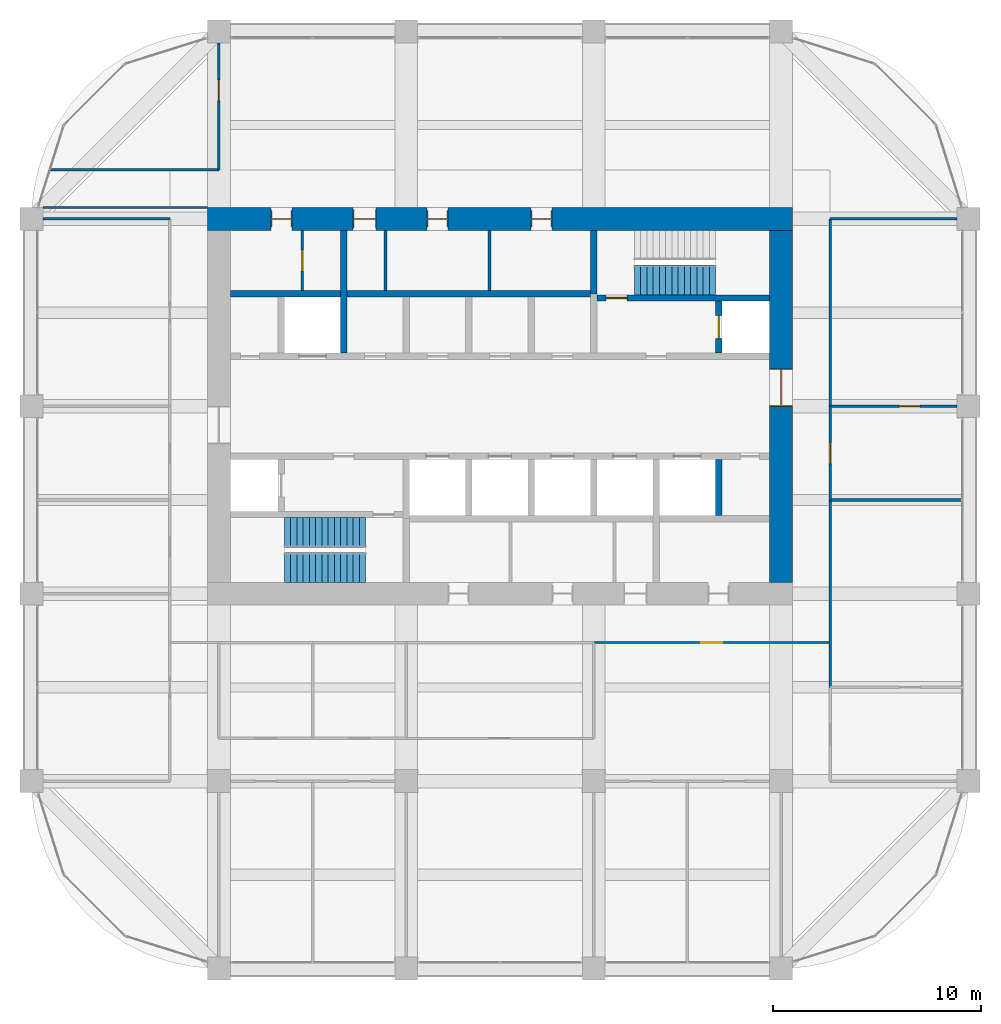
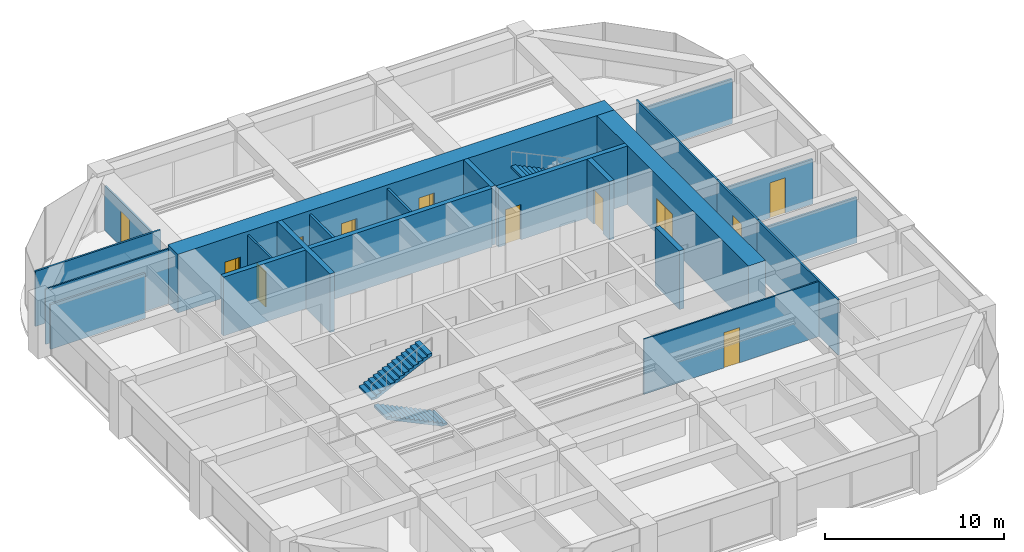
# One storey, part 43 of 45: 22 walls, 12 doors, 3 stair flights, 12 openings, 2 elements without a shape of their own.
"""IFC4 building model written with IfcOpenShell, lengths in metres."""

from ifc_helpers import new_model, si_unit, direction, frame, frame_2d, origin, place, context, subcontext, project, spatial, polyline, rectangle, outline, extrude, material, layer, layer_set, type_object, element, fill, aggregate, save


model = new_model("IFC4")

# Units and contexts
model_context = context("Model", 3, precision=1e-05, world=origin(), true_north=direction((0.0, 1.0)))
body_context = subcontext(model_context, "Body", "Model", "MODEL_VIEW")
ifc_project = project(units=[si_unit("LENGTHUNIT", "METRE"), si_unit("AREAUNIT", "SQUARE_METRE"), si_unit("VOLUMEUNIT", "CUBIC_METRE"), si_unit("PLANEANGLEUNIT", "RADIAN"), si_unit("MASSUNIT", "GRAM", prefix="KILO")], contexts=[model_context])

# Site, building, storey
site_placement = place(None, origin())
site = spatial("IfcSite", under=ifc_project, at=site_placement, CompositionType="ELEMENT")
building_placement = place(site_placement, origin())
building = spatial("IfcBuilding", under=site, at=building_placement, Name="Zorevar Civic Tower", CompositionType="ELEMENT")
storey_placement = place(building_placement, frame((0.0, 0.0, 303.39990234375)))
storey = spatial("IfcBuildingStorey", under=building, at=storey_placement, Name="L74", CompositionType="ELEMENT", Elevation=303.39990234375)

# Wall, openings, doors
ifc_material_1 = material(Name="Concrete C50/60", Category="concrete")
ifc_layer_1 = layer(ifc_material_1, 1.10009765625)
ifc_layer_set_1 = layer_set([ifc_layer_1], Name="Core wall 1100")
wall_type_1 = type_object("IfcWallType", Name="Core wall 1100", PredefinedType="SHEAR", material=ifc_layer_set_1)
wall_1_placement = place(storey_placement, frame((45.550048828125, 36.0, 0.0), z_axis=(0.0, 0.0, 1.0), x_axis=(-1.0, 0.0, 0.0)))
wall_1 = element("IfcWall", 1, at=wall_1_placement, inside=storey, type_object=wall_type_1, Name="Core wall N L74", PredefinedType="SHEAR", context=body_context, shape_type="SweptSolid", body=[
    extrude(rectangle(XDim=28.10009765625, YDim=1.10009765625, at=frame_2d((14.050048828125, 0.0))), origin(), (0.0, 0.0, 1.0), 4.0),
])
opening_1_placement = place(wall_1_placement, frame((11.550048828125, 0.0, 0.0)))
opening_1 = element("IfcOpeningElement", 2, at=opening_1_placement, cuts=wall_1, Name="Opening L74.07", PredefinedType="OPENING", context=body_context, shape_type="SweptSolid", body=[
    extrude(rectangle(XDim=1.0, YDim=2.39990234375, at=frame_2d((0.5, 1.199951171875))), frame((0.0, 0.56005859375, 0.0), z_axis=(0.0, -1.0, 0.0), x_axis=(1.0, 0.0, 0.0)), (0.0, 0.0, 1.0), 1.1201171875),
])
opening_2_placement = place(wall_1_placement, frame((16.550048828125, 0.0, 0.0)))
opening_2 = element("IfcOpeningElement", 3, at=opening_2_placement, cuts=wall_1, Name="Opening L74.08", PredefinedType="OPENING", context=body_context, shape_type="SweptSolid", body=[
    extrude(rectangle(XDim=1.0, YDim=2.39990234375, at=frame_2d((0.5, 1.199951171875))), frame((0.0, 0.56005859375, 0.0), z_axis=(0.0, -1.0, 0.0), x_axis=(1.0, 0.0, 0.0)), (0.0, 0.0, 1.0), 1.1201171875),
])
opening_3_placement = place(wall_1_placement, frame((20.0, 0.0, 0.0)))
opening_3 = element("IfcOpeningElement", 4, at=opening_3_placement, cuts=wall_1, Name="Opening L74.09", PredefinedType="OPENING", context=body_context, shape_type="SweptSolid", body=[
    extrude(rectangle(XDim=1.10009765625, YDim=2.39990234375, at=frame_2d((0.550048828125, 1.199951171875))), frame((0.0, 0.56005859375, 0.0), z_axis=(0.0, -1.0, 0.0), x_axis=(1.0, 0.0, 0.0)), (0.0, 0.0, 1.0), 1.1201171875),
])
opening_4_placement = place(wall_1_placement, frame((24.050048828125, 0.0, 0.0)))
opening_4 = element("IfcOpeningElement", 5, at=opening_4_placement, cuts=wall_1, Name="Opening L74.10", PredefinedType="OPENING", context=body_context, shape_type="SweptSolid", body=[
    extrude(rectangle(XDim=1.0, YDim=2.39990234375, at=frame_2d((0.5, 1.199951171875))), frame((0.0, 0.56005859375, 0.0), z_axis=(0.0, -1.0, 0.0), x_axis=(1.0, 0.0, 0.0)), (0.0, 0.0, 1.0), 1.1201171875),
])
ifc_material_2 = material(Name="Timber door set", Category="wood")
door_type_1 = type_object("IfcDoorType", Name="Door D1 1000x2400", OperationType="SINGLE_SWING_LEFT", PredefinedType="DOOR", material=ifc_material_2)
door_1_placement = place(opening_1_placement, origin())
door_1 = element("IfcDoor", 6, at=door_1_placement, inside=storey, type_object=door_type_1, Name="Door L74 06", OperationType="SINGLE_SWING_LEFT", OverallHeight=2.39990234375, OverallWidth=1.0, PredefinedType="DOOR", context=body_context, shape_type="SweptSolid", body=[
    extrude(rectangle(XDim=1.0, YDim=2.39990234375, at=frame_2d((0.5, 1.199951171875))), frame((0.0, 0.02490234375, 0.0), z_axis=(0.0, -1.0, 0.0), x_axis=(1.0, 0.0, 0.0)), (0.0, 0.0, 1.0), 0.050048828125),
    extrude(rectangle(XDim=0.04, YDim=2.39990234375, at=frame_2d((0.02001953125, 1.199951171875))), frame((0.0, 0.39990234375, 0.0), z_axis=(0.0, -1.0, 0.0), x_axis=(1.0, 0.0, 0.0)), (0.0, 0.0, 1.0), 0.800048828125),
    extrude(rectangle(XDim=0.04, YDim=2.39990234375, at=frame_2d((0.97998046875, 1.199951171875))), frame((0.0, 0.39990234375, 0.0), z_axis=(0.0, -1.0, 0.0), x_axis=(1.0, 0.0, 0.0)), (0.0, 0.0, 1.0), 0.800048828125),
    extrude(rectangle(XDim=1.0, YDim=0.04, at=frame_2d((0.5, 2.3798828125))), frame((0.0, 0.39990234375, 0.0), z_axis=(0.0, -1.0, 0.0), x_axis=(1.0, 0.0, 0.0)), (0.0, 0.0, 1.0), 0.800048828125),
])
fill(opening_1, door_1)
door_2_placement = place(opening_2_placement, origin())
door_2 = element("IfcDoor", 7, at=door_2_placement, inside=storey, type_object=door_type_1, Name="Door L74 07", OperationType="SINGLE_SWING_RIGHT", OverallHeight=2.39990234375, OverallWidth=1.0, PredefinedType="DOOR", context=body_context, shape_type="SweptSolid", body=[
    extrude(rectangle(XDim=1.0, YDim=2.39990234375, at=frame_2d((0.5, 1.199951171875))), frame((0.0, 0.02490234375, 0.0), z_axis=(0.0, -1.0, 0.0), x_axis=(1.0, 0.0, 0.0)), (0.0, 0.0, 1.0), 0.050048828125),
    extrude(rectangle(XDim=0.04, YDim=2.39990234375, at=frame_2d((0.02001953125, 1.199951171875))), frame((0.0, 0.39990234375, 0.0), z_axis=(0.0, -1.0, 0.0), x_axis=(1.0, 0.0, 0.0)), (0.0, 0.0, 1.0), 0.800048828125),
    extrude(rectangle(XDim=0.04, YDim=2.39990234375, at=frame_2d((0.97998046875, 1.199951171875))), frame((0.0, 0.39990234375, 0.0), z_axis=(0.0, -1.0, 0.0), x_axis=(1.0, 0.0, 0.0)), (0.0, 0.0, 1.0), 0.800048828125),
    extrude(rectangle(XDim=1.0, YDim=0.04, at=frame_2d((0.5, 2.3798828125))), frame((0.0, 0.39990234375, 0.0), z_axis=(0.0, -1.0, 0.0), x_axis=(1.0, 0.0, 0.0)), (0.0, 0.0, 1.0), 0.800048828125),
])
fill(opening_2, door_2)
door_3_placement = place(opening_4_placement, origin())
door_3 = element("IfcDoor", 8, at=door_3_placement, inside=storey, type_object=door_type_1, Name="Door L74 09", OperationType="SINGLE_SWING_RIGHT", OverallHeight=2.39990234375, OverallWidth=1.0, PredefinedType="DOOR", context=body_context, shape_type="SweptSolid", body=[
    extrude(rectangle(XDim=1.0, YDim=2.39990234375, at=frame_2d((0.5, 1.199951171875))), frame((0.0, 0.02490234375, 0.0), z_axis=(0.0, -1.0, 0.0), x_axis=(1.0, 0.0, 0.0)), (0.0, 0.0, 1.0), 0.050048828125),
    extrude(rectangle(XDim=0.04, YDim=2.39990234375, at=frame_2d((0.02001953125, 1.199951171875))), frame((0.0, 0.39990234375, 0.0), z_axis=(0.0, -1.0, 0.0), x_axis=(1.0, 0.0, 0.0)), (0.0, 0.0, 1.0), 0.800048828125),
    extrude(rectangle(XDim=0.04, YDim=2.39990234375, at=frame_2d((0.97998046875, 1.199951171875))), frame((0.0, 0.39990234375, 0.0), z_axis=(0.0, -1.0, 0.0), x_axis=(1.0, 0.0, 0.0)), (0.0, 0.0, 1.0), 0.800048828125),
    extrude(rectangle(XDim=1.0, YDim=0.04, at=frame_2d((0.5, 2.3798828125))), frame((0.0, 0.39990234375, 0.0), z_axis=(0.0, -1.0, 0.0), x_axis=(1.0, 0.0, 0.0)), (0.0, 0.0, 1.0), 0.800048828125),
])
fill(opening_4, door_3)
ifc_material_3 = material(Name="Timber door set", Category="wood")
door_type_2 = type_object("IfcDoorType", Name="Door D5 1100x2400", OperationType="SINGLE_SWING_LEFT", PredefinedType="DOOR", material=ifc_material_3)
door_4_placement = place(opening_3_placement, origin())
door_4 = element("IfcDoor", 9, at=door_4_placement, inside=storey, type_object=door_type_2, Name="Door L74 08", OperationType="SINGLE_SWING_RIGHT", OverallHeight=2.39990234375, OverallWidth=1.10009765625, PredefinedType="DOOR", context=body_context, shape_type="SweptSolid", body=[
    extrude(rectangle(XDim=1.10009765625, YDim=2.39990234375, at=frame_2d((0.550048828125, 1.199951171875))), frame((0.0, 0.02490234375, 0.0), z_axis=(0.0, -1.0, 0.0), x_axis=(1.0, 0.0, 0.0)), (0.0, 0.0, 1.0), 0.050048828125),
    extrude(rectangle(XDim=0.04, YDim=2.39990234375, at=frame_2d((0.02001953125, 1.199951171875))), frame((0.0, 0.43994140625, 0.0), z_axis=(0.0, -1.0, 0.0), x_axis=(1.0, 0.0, 0.0)), (0.0, 0.0, 1.0), 0.880126953125),
    extrude(rectangle(XDim=0.04, YDim=2.39990234375, at=frame_2d((1.080078125, 1.199951171875))), frame((0.0, 0.43994140625, 0.0), z_axis=(0.0, -1.0, 0.0), x_axis=(1.0, 0.0, 0.0)), (0.0, 0.0, 1.0), 0.880126953125),
    extrude(rectangle(XDim=1.10009765625, YDim=0.04, at=frame_2d((0.550048828125, 2.3798828125))), frame((0.0, 0.43994140625, 0.0), z_axis=(0.0, -1.0, 0.0), x_axis=(1.0, 0.0, 0.0)), (0.0, 0.0, 1.0), 0.880126953125),
])
fill(opening_3, door_4)

# Wall, opening, door
wall_2_placement = place(storey_placement, frame((45.0, 18.550048828125, 0.0), z_axis=(0.0, 0.0, 1.0), x_axis=(0.0, 1.0, 0.0)))
wall_2 = element("IfcWall", 10, at=wall_2_placement, inside=storey, type_object=wall_type_1, Name="Core wall E L74", PredefinedType="SHEAR", context=body_context, shape_type="SweptSolid", body=[
    extrude(rectangle(XDim=16.89990234375, YDim=1.10009765625, at=frame_2d((8.449951171875, 0.0))), origin(), (0.0, 0.0, 1.0), 4.0),
])
opening_5_placement = place(wall_2_placement, frame((8.449951171875, 0.0, 0.0)))
opening_5 = element("IfcOpeningElement", 11, at=opening_5_placement, cuts=wall_2, Name="Opening L74.02", PredefinedType="OPENING", context=body_context, shape_type="SweptSolid", body=[
    extrude(rectangle(XDim=1.800048828125, YDim=2.39990234375, at=frame_2d((0.89990234375, 1.199951171875))), frame((0.0, 0.56005859375, 0.0), z_axis=(0.0, -1.0, 0.0), x_axis=(1.0, 0.0, 0.0)), (0.0, 0.0, 1.0), 1.1201171875),
])
ifc_material_4 = material(Name="Steel door set", Category="steel")
door_type_3 = type_object("IfcDoorType", Name="Fire door FD2 1800x2400", OperationType="DOUBLE_DOOR_DOUBLE_SWING", PredefinedType="DOOR", material=ifc_material_4)
door_5_placement = place(opening_5_placement, origin())
door_5 = element("IfcDoor", 12, at=door_5_placement, inside=storey, type_object=door_type_3, Name="Door L74 01", OperationType="DOUBLE_DOOR_DOUBLE_SWING", OverallHeight=2.39990234375, OverallWidth=1.800048828125, PredefinedType="DOOR", context=body_context, shape_type="SweptSolid", body=[
    extrude(rectangle(XDim=1.800048828125, YDim=2.39990234375, at=frame_2d((0.89990234375, 1.199951171875))), frame((0.0, 0.030029296875, 0.0), z_axis=(0.0, -1.0, 0.0), x_axis=(1.0, 0.0, 0.0)), (0.0, 0.0, 1.0), 0.06005859375),
    extrude(rectangle(XDim=0.04, YDim=2.39990234375, at=frame_2d((0.02001953125, 1.199951171875))), frame((0.0, 0.5498046875, 0.0), z_axis=(0.0, -1.0, 0.0), x_axis=(1.0, 0.0, 0.0)), (0.0, 0.0, 1.0), 1.099609375),
    extrude(rectangle(XDim=0.04, YDim=2.39990234375, at=frame_2d((1.780029296875, 1.199951171875))), frame((0.0, 0.5498046875, 0.0), z_axis=(0.0, -1.0, 0.0), x_axis=(1.0, 0.0, 0.0)), (0.0, 0.0, 1.0), 1.099609375),
    extrude(rectangle(XDim=1.800048828125, YDim=0.04, at=frame_2d((0.89990234375, 2.3798828125))), frame((0.0, 0.5498046875, 0.0), z_axis=(0.0, -1.0, 0.0), x_axis=(1.0, 0.0, 0.0)), (0.0, 0.0, 1.0), 1.099609375),
])
fill(opening_5, door_5)

ifc_material_5 = material(Name="Laminated glass in black aluminium frame", Category="aluminium")
ifc_layer_2 = layer(ifc_material_5, 0.10009765625)
ifc_layer_set_2 = layer_set([ifc_layer_2], Name="Glazed partition 100")
wall_type_2 = type_object("IfcWallType", Name="Glazed partition 100", PredefinedType="PARTITIONING", material=ifc_layer_set_2)
wall_3_placement = place(storey_placement, frame((36.010009765625, 15.64990234375, 0.0), z_axis=(0.0, 0.0, 1.0), x_axis=(1.0, 0.0, 0.0)))
wall_3 = element("IfcWall", 13, at=wall_3_placement, inside=storey, type_object=wall_type_2, Name="Glazed partition 100 L74", PredefinedType="PARTITIONING", context=body_context, shape_type="SweptSolid", body=[
    extrude(rectangle(XDim=11.330078125, YDim=0.10009765625, at=frame_2d((5.6650390625, 0.0))), origin(), (0.0, 0.0, 1.0), 3.75),
])
opening_6_placement = place(wall_3_placement, frame((5.1650390625, 0.0, 0.0)))
opening_6 = element("IfcOpeningElement", 14, at=opening_6_placement, cuts=wall_3, Name="Opening L74.25", PredefinedType="OPENING", context=body_context, shape_type="SweptSolid", body=[
    extrude(rectangle(XDim=1.0, YDim=2.39990234375, at=frame_2d((0.5, 1.199951171875))), frame((0.0, 0.06005859375, 0.0), z_axis=(0.0, -1.0, 0.0), x_axis=(1.0, 0.0, 0.0)), (0.0, 0.0, 1.0), 0.1201171875),
])
ifc_material_6 = material(Name="Timber door set", Category="wood")
door_type_4 = type_object("IfcDoorType", Name="Glazed door GD1 1000x2400", OperationType="SINGLE_SWING_LEFT", PredefinedType="DOOR", material=ifc_material_6)
door_6_placement = place(opening_6_placement, origin())
door_6 = element("IfcDoor", 15, at=door_6_placement, inside=storey, type_object=door_type_4, Name="Door L74 D1", OperationType="SINGLE_SWING_RIGHT", OverallHeight=2.39990234375, OverallWidth=1.0, PredefinedType="DOOR", context=body_context, shape_type="SweptSolid", body=[
    extrude(rectangle(XDim=1.0, YDim=2.39990234375, at=frame_2d((0.5, 1.199951171875))), frame((0.0, 0.02001953125, 0.0), z_axis=(0.0, -1.0, 0.0), x_axis=(1.0, 0.0, 0.0)), (0.0, 0.0, 1.0), 0.0400390625),
])
fill(opening_6, door_6)

# Wall
wall_4_placement = place(storey_placement, frame((9.550048828125, 36.550048828125, 0.0), z_axis=(0.0, 0.0, 1.0), x_axis=(1.0, 0.0, 0.0)))
element("IfcWall", 16, at=wall_4_placement, inside=storey, type_object=wall_type_2, Name="Glazed partition 100 L74", PredefinedType="PARTITIONING", context=body_context, shape_type="SweptSolid", body=[
    extrude(rectangle(XDim=7.89990234375, YDim=0.10009765625, at=frame_2d((3.949951171875, 0.0))), origin(), (0.0, 0.0, 1.0), 3.75),
])

# Wall, opening, door
ifc_material_7 = material(Name="Concrete C40/50", Category="concrete")
ifc_layer_3 = layer(ifc_material_7, 0.300048828125)
ifc_layer_set_3 = layer_set([ifc_layer_3], Name="Inner core wall 300")
wall_type_3 = type_object("IfcWallType", Name="Inner core wall 300", PredefinedType="SHEAR", material=ifc_layer_set_3)
wall_5_placement = place(storey_placement, frame((36.14990234375, 32.199951171875, 0.0), z_axis=(0.0, 0.0, 1.0), x_axis=(1.0, 0.0, 0.0)))
wall_5 = element("IfcWall", 17, at=wall_5_placement, inside=storey, type_object=wall_type_3, Name="Inner core wall N00 L74", PredefinedType="SHEAR", context=body_context, shape_type="SweptSolid", body=[
    extrude(rectangle(XDim=8.300048828125, YDim=0.300048828125, at=frame_2d((4.14990234375, 0.0))), origin(), (0.0, 0.0, 1.0), 4.0),
])
opening_7_placement = place(wall_5_placement, frame((0.449951171875, 0.0, 0.0)))
opening_7 = element("IfcOpeningElement", 18, at=opening_7_placement, cuts=wall_5, Name="Opening L74.12", PredefinedType="OPENING", context=body_context, shape_type="SweptSolid", body=[
    extrude(rectangle(XDim=1.0, YDim=2.39990234375, at=frame_2d((0.5, 1.199951171875))), frame((0.0, 0.159912109375, 0.0), z_axis=(0.0, -1.0, 0.0), x_axis=(1.0, 0.0, 0.0)), (0.0, 0.0, 1.0), 0.320068359375),
])
ifc_material_8 = material(Name="Steel door set", Category="steel")
door_type_5 = type_object("IfcDoorType", Name="Fire door FD1 1000x2400", OperationType="SINGLE_SWING_LEFT", PredefinedType="DOOR", material=ifc_material_8)
door_7_placement = place(opening_7_placement, origin())
door_7 = element("IfcDoor", 19, at=door_7_placement, inside=storey, type_object=door_type_5, Name="Door L74 11", OperationType="SINGLE_SWING_RIGHT", OverallHeight=2.39990234375, OverallWidth=1.0, PredefinedType="DOOR", context=body_context, shape_type="SweptSolid", body=[
    extrude(rectangle(XDim=1.0, YDim=2.39990234375, at=frame_2d((0.5, 1.199951171875))), frame((0.0, 0.030029296875, 0.0), z_axis=(0.0, -1.0, 0.0), x_axis=(1.0, 0.0, 0.0)), (0.0, 0.0, 1.0), 0.06005859375),
])
fill(opening_7, door_7)

# Wall
wall_6_placement = place(storey_placement, frame((36.0, 32.39990234375, 0.0), z_axis=(0.0, 0.0, 1.0), x_axis=(0.0, 1.0, 0.0)))
element("IfcWall", 20, at=wall_6_placement, inside=storey, type_object=wall_type_3, Name="Inner core wall N01 L74", PredefinedType="SHEAR", context=body_context, shape_type="SweptSolid", body=[
    extrude(rectangle(XDim=3.050048828125, YDim=0.300048828125, at=frame_2d((1.52490234375, 0.0))), origin(), (0.0, 0.0, 1.0), 4.0),
])

# Wall, opening, door
wall_7_placement = place(storey_placement, frame((42.0, 29.550048828125, 0.0), z_axis=(0.0, 0.0, 1.0), x_axis=(0.0, 1.0, 0.0)))
wall_7 = element("IfcWall", 21, at=wall_7_placement, inside=storey, type_object=wall_type_3, Name="Inner core wall N02 L74", PredefinedType="SHEAR", context=body_context, shape_type="SweptSolid", body=[
    extrude(rectangle(XDim=2.5, YDim=0.300048828125, at=frame_2d((1.25, 0.0))), origin(), (0.0, 0.0, 1.0), 4.0),
])
opening_8_placement = place(wall_7_placement, frame((0.699951171875, 0.0, 0.0)))
opening_8 = element("IfcOpeningElement", 22, at=opening_8_placement, cuts=wall_7, Name="Opening L74.FL2", PredefinedType="OPENING", context=body_context, shape_type="SweptSolid", body=[
    extrude(rectangle(XDim=1.10009765625, YDim=2.39990234375, at=frame_2d((0.550048828125, 1.199951171875))), frame((0.0, 0.159912109375, 0.0), z_axis=(0.0, -1.0, 0.0), x_axis=(1.0, 0.0, 0.0)), (0.0, 0.0, 1.0), 0.320068359375),
])
ifc_material_9 = material(Name="Steel door set", Category="steel")
door_type_6 = type_object("IfcDoorType", Name="Firefighting lift landing door LD3 1100x2400", OperationType="DOUBLE_DOOR_SLIDING", PredefinedType="DOOR", material=ifc_material_9)
door_8_placement = place(opening_8_placement, origin())
door_8 = element("IfcDoor", 23, at=door_8_placement, inside=storey, type_object=door_type_6, Name="Landing door FL2 L74", OperationType="DOUBLE_DOOR_SLIDING", OverallHeight=2.39990234375, OverallWidth=1.10009765625, PredefinedType="DOOR", context=body_context, shape_type="SweptSolid", body=[
    extrude(rectangle(XDim=1.10009765625, YDim=2.39990234375, at=frame_2d((0.550048828125, 1.199951171875))), frame((0.0, 0.030029296875, 0.0), z_axis=(0.0, -1.0, 0.0), x_axis=(1.0, 0.0, 0.0)), (0.0, 0.0, 1.0), 0.06005859375),
])
fill(opening_8, door_8)

# Walls
wall_8_placement = place(storey_placement, frame((18.550048828125, 32.39990234375, 0.0), z_axis=(0.0, 0.0, 1.0), x_axis=(1.0, 0.0, 0.0)))
element("IfcWall", 24, at=wall_8_placement, inside=storey, type_object=wall_type_3, Name="Inner core wall N04 L74", PredefinedType="SHEAR", context=body_context, shape_type="SweptSolid", body=[
    extrude(rectangle(XDim=17.300048828125, YDim=0.300048828125, at=frame_2d((8.64990234375, 0.0))), origin(), (0.0, 0.0, 1.0), 4.0),
])
wall_9_placement = place(storey_placement, frame((24.0, 29.550048828125, 0.0), z_axis=(0.0, 0.0, 1.0), x_axis=(0.0, 1.0, 0.0)))
element("IfcWall", 25, at=wall_9_placement, inside=storey, type_object=wall_type_3, Name="Inner core wall N08 L74", PredefinedType="SHEAR", context=body_context, shape_type="SweptSolid", body=[
    extrude(rectangle(XDim=5.89990234375, YDim=0.300048828125, at=frame_2d((2.949951171875, 0.0))), origin(), (0.0, 0.0, 1.0), 4.0),
])
wall_10_placement = place(storey_placement, frame((42.0, 21.75, 0.0), z_axis=(0.0, 0.0, 1.0), x_axis=(0.0, 1.0, 0.0)))
element("IfcWall", 26, at=wall_10_placement, inside=storey, type_object=wall_type_3, Name="Inner core wall S09 L74", PredefinedType="SHEAR", context=body_context, shape_type="SweptSolid", body=[
    extrude(rectangle(XDim=2.699951171875, YDim=0.300048828125, at=frame_2d((1.35009765625, 0.0))), origin(), (0.0, 0.0, 1.0), 4.0),
])
ifc_material_10 = material(Name="Gypsum board on steel studs", Category="steel")
ifc_layer_4 = layer(ifc_material_10, 0.1201171875)
ifc_layer_set_4 = layer_set([ifc_layer_4], Name="Partition 120")
wall_type_4 = type_object("IfcWallType", Name="Partition 120", PredefinedType="PARTITIONING", material=ifc_layer_set_4)
wall_11_placement = place(storey_placement, frame((47.35009765625, 22.5, 0.0), z_axis=(0.0, 0.0, 1.0), x_axis=(1.0, 0.0, 0.0)))
element("IfcWall", 27, at=wall_11_placement, inside=storey, type_object=wall_type_4, Name="Partition 120 L74", PredefinedType="PARTITIONING", context=body_context, shape_type="SweptSolid", body=[
    extrude(rectangle(XDim=6.33984375, YDim=0.1201171875, at=frame_2d((3.169921875, 0.0))), origin(), (0.0, 0.0, 1.0), 3.10009765625),
])

# Wall, opening, door
wall_12_placement = place(storey_placement, frame((47.35009765625, 27.0, 0.0), z_axis=(0.0, 0.0, 1.0), x_axis=(1.0, 0.0, 0.0)))
wall_12 = element("IfcWall", 28, at=wall_12_placement, inside=storey, type_object=wall_type_4, Name="Partition 120 L74", PredefinedType="PARTITIONING", context=body_context, shape_type="SweptSolid", body=[
    extrude(rectangle(XDim=6.099853515625, YDim=0.1201171875, at=frame_2d((3.0498046875, 0.0))), origin(), (0.0, 0.0, 1.0), 3.050048828125),
])
opening_9_placement = place(wall_12_placement, frame((3.324951171875, 0.0, 0.0)))
opening_9 = element("IfcOpeningElement", 29, at=opening_9_placement, cuts=wall_12, Name="Opening L74.26", PredefinedType="OPENING", context=body_context, shape_type="SweptSolid", body=[
    extrude(rectangle(XDim=1.0, YDim=2.39990234375, at=frame_2d((0.5, 1.199951171875))), frame((0.0, 0.070068359375, 0.0), z_axis=(0.0, -1.0, 0.0), x_axis=(1.0, 0.0, 0.0)), (0.0, 0.0, 1.0), 0.14013671875),
])
door_9_placement = place(opening_9_placement, origin())
door_9 = element("IfcDoor", 30, at=door_9_placement, inside=storey, type_object=door_type_1, Name="Door L74 D1", OperationType="SINGLE_SWING_LEFT", OverallHeight=2.39990234375, OverallWidth=1.0, PredefinedType="DOOR", context=body_context, shape_type="SweptSolid", body=[
    extrude(rectangle(XDim=1.0, YDim=2.39990234375, at=frame_2d((0.5, 1.199951171875))), frame((0.0, 0.02490234375, 0.0), z_axis=(0.0, -1.0, 0.0), x_axis=(1.0, 0.0, 0.0)), (0.0, 0.0, 1.0), 0.050048828125),
])
fill(opening_9, door_9)

# Walls
for number, where, z_axis, x_axis, name in (
    (31, (47.35009765625, 36.0, 0.0), (0.0, 0.0, 1.0), (1.0, 0.0, 0.0), "Partition 120 L74"),
    (32, (9.550048828125, 36.0, 0.0), (0.0, 0.0, 1.0), (1.0, 0.0, 0.0), "Partition 120 L74"),
):
    element("IfcWall", number, at=place(storey_placement, frame(where, z_axis=z_axis, x_axis=x_axis)), inside=storey, type_object=wall_type_4, Name=name, PredefinedType="PARTITIONING", context=body_context, shape_type="SweptSolid", body=[
        extrude(rectangle(XDim=6.099853515625, YDim=0.1201171875, at=frame_2d((3.0498046875, 0.0))), origin(), (0.0, 0.0, 1.0), 3.050048828125),
    ])
wall_13_placement = place(storey_placement, frame((9.917724609375, 38.35009765625, 0.0), z_axis=(0.0, 0.0, 1.0), x_axis=(1.0, 0.0, 0.0)))
element("IfcWall", 33, at=wall_13_placement, inside=storey, type_object=wall_type_4, Name="Partition 120 L74", PredefinedType="PARTITIONING", context=body_context, shape_type="SweptSolid", body=[
    extrude(rectangle(XDim=8.082275390625, YDim=0.1201171875, at=frame_2d((4.041015625, 0.0))), origin(), (0.0, 0.0, 1.0), 3.75),
])

# Wall, opening, door
wall_14_placement = place(storey_placement, frame((18.0, 38.35009765625, 0.0), z_axis=(0.0, 0.0, 1.0), x_axis=(0.0, 1.0, 0.0)))
wall_14 = element("IfcWall", 34, at=wall_14_placement, inside=storey, type_object=wall_type_4, Name="Partition 120 L74", PredefinedType="PARTITIONING", context=body_context, shape_type="SweptSolid", body=[
    extrude(rectangle(XDim=6.099853515625, YDim=0.1201171875, at=frame_2d((3.0498046875, 0.0))), origin(), (0.0, 0.0, 1.0), 3.050048828125),
])
opening_10_placement = place(wall_14_placement, frame((3.324951171875, 0.0, 0.0)))
opening_10 = element("IfcOpeningElement", 35, at=opening_10_placement, cuts=wall_14, Name="Opening L74.31", PredefinedType="OPENING", context=body_context, shape_type="SweptSolid", body=[
    extrude(rectangle(XDim=1.0, YDim=2.39990234375, at=frame_2d((0.5, 1.199951171875))), frame((0.0, 0.070068359375, 0.0), z_axis=(0.0, -1.0, 0.0), x_axis=(1.0, 0.0, 0.0)), (0.0, 0.0, 1.0), 0.14013671875),
])
door_10_placement = place(opening_10_placement, origin())
door_10 = element("IfcDoor", 36, at=door_10_placement, inside=storey, type_object=door_type_1, Name="Door L74 D1", OperationType="SINGLE_SWING_RIGHT", OverallHeight=2.39990234375, OverallWidth=1.0, PredefinedType="DOOR", context=body_context, shape_type="SweptSolid", body=[
    extrude(rectangle(XDim=1.0, YDim=2.39990234375, at=frame_2d((0.5, 1.199951171875))), frame((0.0, 0.02490234375, 0.0), z_axis=(0.0, -1.0, 0.0), x_axis=(1.0, 0.0, 0.0)), (0.0, 0.0, 1.0), 0.050048828125),
])
fill(opening_10, door_10)

# Wall
wall_15_placement = place(storey_placement, frame((47.35009765625, 13.5, 0.0), z_axis=(0.0, 0.0, 1.0), x_axis=(0.0, 1.0, 0.0)))
element("IfcWall", 37, at=wall_15_placement, inside=storey, type_object=wall_type_4, Name="Partition 120 L74", PredefinedType="PARTITIONING", context=body_context, shape_type="SweptSolid", body=[
    extrude(rectangle(XDim=9.0, YDim=0.1201171875, at=frame_2d((4.5, 0.0))), origin(), (0.0, 0.0, 1.0), 3.75),
])

# Wall, opening, door
wall_16_placement = place(storey_placement, frame((47.35009765625, 22.5, 0.0), z_axis=(0.0, 0.0, 1.0), x_axis=(0.0, 1.0, 0.0)))
wall_16 = element("IfcWall", 38, at=wall_16_placement, inside=storey, type_object=wall_type_4, Name="Partition 120 L74", PredefinedType="PARTITIONING", context=body_context, shape_type="SweptSolid", body=[
    extrude(rectangle(XDim=4.5, YDim=0.1201171875, at=frame_2d((2.25, 0.0))), origin(), (0.0, 0.0, 1.0), 3.75),
])
opening_11_placement = place(wall_16_placement, frame((1.75, 0.0, 0.0)))
opening_11 = element("IfcOpeningElement", 39, at=opening_11_placement, cuts=wall_16, Name="Opening L74.33", PredefinedType="OPENING", context=body_context, shape_type="SweptSolid", body=[
    extrude(rectangle(XDim=1.0, YDim=2.39990234375, at=frame_2d((0.5, 1.199951171875))), frame((0.0, 0.070068359375, 0.0), z_axis=(0.0, -1.0, 0.0), x_axis=(1.0, 0.0, 0.0)), (0.0, 0.0, 1.0), 0.14013671875),
])
door_11_placement = place(opening_11_placement, origin())
door_11 = element("IfcDoor", 40, at=door_11_placement, inside=storey, type_object=door_type_1, Name="Door L74 D1", OperationType="SINGLE_SWING_RIGHT", OverallHeight=2.39990234375, OverallWidth=1.0, PredefinedType="DOOR", context=body_context, shape_type="SweptSolid", body=[
    extrude(rectangle(XDim=1.0, YDim=2.39990234375, at=frame_2d((0.5, 1.199951171875))), frame((0.0, 0.02490234375, 0.0), z_axis=(0.0, -1.0, 0.0), x_axis=(1.0, 0.0, 0.0)), (0.0, 0.0, 1.0), 0.050048828125),
])
fill(opening_11, door_11)

# Wall
wall_17_placement = place(storey_placement, frame((47.35009765625, 27.0, 0.0), z_axis=(0.0, 0.0, 1.0), x_axis=(0.0, 1.0, 0.0)))
element("IfcWall", 41, at=wall_17_placement, inside=storey, type_object=wall_type_4, Name="Partition 120 L74", PredefinedType="PARTITIONING", context=body_context, shape_type="SweptSolid", body=[
    extrude(rectangle(XDim=9.0, YDim=0.1201171875, at=frame_2d((4.5, 0.0))), origin(), (0.0, 0.0, 1.0), 3.75),
])

# Wall, opening, door
wall_18_placement = place(storey_placement, frame((22.0, 32.550048828125, 0.0), z_axis=(0.0, 0.0, 1.0), x_axis=(0.0, 1.0, 0.0)))
wall_18 = element("IfcWall", 42, at=wall_18_placement, inside=storey, type_object=wall_type_4, Name="Partition L74", PredefinedType="PARTITIONING", context=body_context, shape_type="SweptSolid", body=[
    extrude(rectangle(XDim=2.89990234375, YDim=0.1201171875, at=frame_2d((1.449951171875, 0.0))), origin(), (0.0, 0.0, 1.0), 3.75),
])
opening_12_placement = place(wall_18_placement, frame((0.949951171875, 0.0, 0.0)))
opening_12 = element("IfcOpeningElement", 43, at=opening_12_placement, cuts=wall_18, Name="Opening L74.34", PredefinedType="OPENING", context=body_context, shape_type="SweptSolid", body=[
    extrude(rectangle(XDim=1.0, YDim=2.39990234375, at=frame_2d((0.5, 1.199951171875))), frame((0.0, 0.070068359375, 0.0), z_axis=(0.0, -1.0, 0.0), x_axis=(1.0, 0.0, 0.0)), (0.0, 0.0, 1.0), 0.14013671875),
])
door_12_placement = place(opening_12_placement, origin())
door_12 = element("IfcDoor", 44, at=door_12_placement, inside=storey, type_object=door_type_5, Name="Door L74 EN", OperationType="SINGLE_SWING_LEFT", OverallHeight=2.39990234375, OverallWidth=1.0, PredefinedType="DOOR", context=body_context, shape_type="SweptSolid", body=[
    extrude(rectangle(XDim=1.0, YDim=2.39990234375, at=frame_2d((0.5, 1.199951171875))), frame((0.0, 0.030029296875, 0.0), z_axis=(0.0, -1.0, 0.0), x_axis=(1.0, 0.0, 0.0)), (0.0, 0.0, 1.0), 0.06005859375),
])
fill(opening_12, door_12)

# Walls
ifc_material_11 = material(Name="Gypsum board on steel studs, moisture resistant", Category="steel")
ifc_layer_5 = layer(ifc_material_11, 0.14990234375)
ifc_layer_set_5 = layer_set([ifc_layer_5], Name="WC partition 150")
wall_type_5 = type_object("IfcWallType", Name="WC partition 150", PredefinedType="PARTITIONING", material=ifc_layer_set_5)
for number, where, z_axis, x_axis, name in (
    (45, (31.0, 32.550048828125, 0.0), (0.0, 0.0, 1.0), (0.0, 1.0, 0.0), "WC partition L74"),
    (46, (26.0, 32.550048828125, 0.0), (0.0, 0.0, 1.0), (0.0, 1.0, 0.0), "WC partition L74"),
):
    element("IfcWall", number, at=place(storey_placement, frame(where, z_axis=z_axis, x_axis=x_axis)), inside=storey, type_object=wall_type_5, Name=name, PredefinedType="PARTITIONING", context=body_context, shape_type="SweptSolid", body=[
        extrude(rectangle(XDim=2.89990234375, YDim=0.14990234375, at=frame_2d((1.449951171875, 0.0))), origin(), (0.0, 0.0, 1.0), 3.75),
    ])

# Stair, stair flights
ifc_material_12 = material(Name="Precast concrete C40/50", Category="concrete")
stair_type = type_object("IfcStairType", Name="Stair ST 28R", PredefinedType="HALF_TURN_STAIR", material=ifc_material_12)
stair_1_placement = place(storey_placement, origin())
stair_1 = element("IfcStair", 47, at=stair_1_placement, inside=storey, type_object=stair_type, Name="Stair ST1 L74", PredefinedType="HALF_TURN_STAIR")
ifc_material_13 = material(Name="Precast concrete C40/50", Category="concrete")
stair_flight_type = type_object("IfcStairFlightType", Name="Stair flight", PredefinedType="STRAIGHT", material=ifc_material_13)
stair_flight_1_placement = place(storey_placement, frame((25.050048828125, 19.262451171875, 0.0), z_axis=(0.0, 0.0, 1.0), x_axis=(-1.0, 0.0, 0.0)))
stair_flight_1 = element("IfcStairFlight", 48, at=stair_flight_1_placement, type_object=stair_flight_type, Name="ST1 flight 1", NumberOfRisers=14, NumberOfTreads=13, PredefinedType="STRAIGHT", RiserHeight=0.142857143, TreadLength=0.3, context=body_context, shape_type="SweptSolid", body=[
    extrude(outline(polyline([(0.0, 0.0), (0.0, 0.142822265625), (0.300048828125, 0.142822265625), (0.300048828125, 0.28564453125), (0.60009765625, 0.28564453125), (0.60009765625, 0.428466796875), (0.89990234375, 0.428466796875), (0.89990234375, 0.571533203125), (1.199951171875, 0.571533203125), (1.199951171875, 0.71435546875), (1.5, 0.71435546875), (1.5, 0.857177734375), (1.800048828125, 0.857177734375), (1.800048828125, 1.0), (2.10009765625, 1.0), (2.10009765625, 1.142822265625), (2.39990234375, 1.142822265625), (2.39990234375, 1.28564453125), (2.699951171875, 1.28564453125), (2.699951171875, 1.428466796875), (3.0, 1.428466796875), (3.0, 1.571533203125), (3.300048828125, 1.571533203125), (3.300048828125, 1.71435546875), (3.60009765625, 1.71435546875), (3.60009765625, 1.857177734375), (3.89990234375, 1.857177734375), (3.89990234375, 2.0), (3.89990234375, 1.691162109375), (0.3486328125, 0.0), (0.0, 0.0)])), frame((0.0, 0.71240234375, 0.0), z_axis=(0.0, -1.0, 0.0), x_axis=(1.0, 0.0, 0.0)), (0.0, 0.0, 1.0), 1.425048828125),
])
stair_flight_2_placement = place(storey_placement, frame((21.14990234375, 20.9375, 2.0), z_axis=(0.0, 0.0, 1.0), x_axis=(1.0, 0.0, 0.0)))
stair_flight_2 = element("IfcStairFlight", 49, at=stair_flight_2_placement, type_object=stair_flight_type, Name="ST1 flight 2", NumberOfRisers=14, NumberOfTreads=13, PredefinedType="STRAIGHT", RiserHeight=0.142857143, TreadLength=0.3, context=body_context, shape_type="SweptSolid", body=[
    extrude(outline(polyline([(0.0, 0.0), (0.0, 0.142822265625), (0.300048828125, 0.142822265625), (0.300048828125, 0.28564453125), (0.60009765625, 0.28564453125), (0.60009765625, 0.428466796875), (0.89990234375, 0.428466796875), (0.89990234375, 0.571533203125), (1.199951171875, 0.571533203125), (1.199951171875, 0.71435546875), (1.5, 0.71435546875), (1.5, 0.857177734375), (1.800048828125, 0.857177734375), (1.800048828125, 1.0), (2.10009765625, 1.0), (2.10009765625, 1.142822265625), (2.39990234375, 1.142822265625), (2.39990234375, 1.28564453125), (2.699951171875, 1.28564453125), (2.699951171875, 1.428466796875), (3.0, 1.428466796875), (3.0, 1.571533203125), (3.300048828125, 1.571533203125), (3.300048828125, 1.71435546875), (3.60009765625, 1.71435546875), (3.60009765625, 1.857177734375), (3.89990234375, 1.857177734375), (3.89990234375, 2.0), (3.89990234375, 1.691162109375), (0.3486328125, 0.0), (0.0, 0.0)])), frame((0.0, 0.71240234375, 0.0), z_axis=(0.0, -1.0, 0.0), x_axis=(1.0, 0.0, 0.0)), (0.0, 0.0, 1.0), 1.425048828125),
])
aggregate(stair_1, [stair_flight_1, stair_flight_2])

# Stair, stair flight
stair_2_placement = place(storey_placement, origin())
stair_2 = element("IfcStair", 50, at=stair_2_placement, inside=storey, type_object=stair_type, Name="Stair ST2 L74", PredefinedType="HALF_TURN_STAIR")
stair_flight_3_placement = place(storey_placement, frame((41.85009765625, 33.0625, 2.0), z_axis=(0.0, 0.0, 1.0), x_axis=(-1.0, 0.0, 0.0)))
stair_flight_3 = element("IfcStairFlight", 51, at=stair_flight_3_placement, type_object=stair_flight_type, Name="ST2 flight 2", NumberOfRisers=14, NumberOfTreads=13, PredefinedType="STRAIGHT", RiserHeight=0.142857143, TreadLength=0.3, context=body_context, shape_type="SweptSolid", body=[
    extrude(outline(polyline([(0.0, 0.0), (0.0, 0.142822265625), (0.300048828125, 0.142822265625), (0.300048828125, 0.28564453125), (0.60009765625, 0.28564453125), (0.60009765625, 0.428466796875), (0.89990234375, 0.428466796875), (0.89990234375, 0.571533203125), (1.199951171875, 0.571533203125), (1.199951171875, 0.71435546875), (1.5, 0.71435546875), (1.5, 0.857177734375), (1.800048828125, 0.857177734375), (1.800048828125, 1.0), (2.10009765625, 1.0), (2.10009765625, 1.142822265625), (2.39990234375, 1.142822265625), (2.39990234375, 1.28564453125), (2.699951171875, 1.28564453125), (2.699951171875, 1.428466796875), (3.0, 1.428466796875), (3.0, 1.571533203125), (3.300048828125, 1.571533203125), (3.300048828125, 1.71435546875), (3.60009765625, 1.71435546875), (3.60009765625, 1.857177734375), (3.89990234375, 1.857177734375), (3.89990234375, 2.0), (3.89990234375, 1.691162109375), (0.3486328125, 0.0), (0.0, 0.0)])), frame((0.0, 0.71240234375, 0.0), z_axis=(0.0, -1.0, 0.0), x_axis=(1.0, 0.0, 0.0)), (0.0, 0.0, 1.0), 1.425048828125),
])
aggregate(stair_2, [stair_flight_3])

save(model, "model.ifc")
